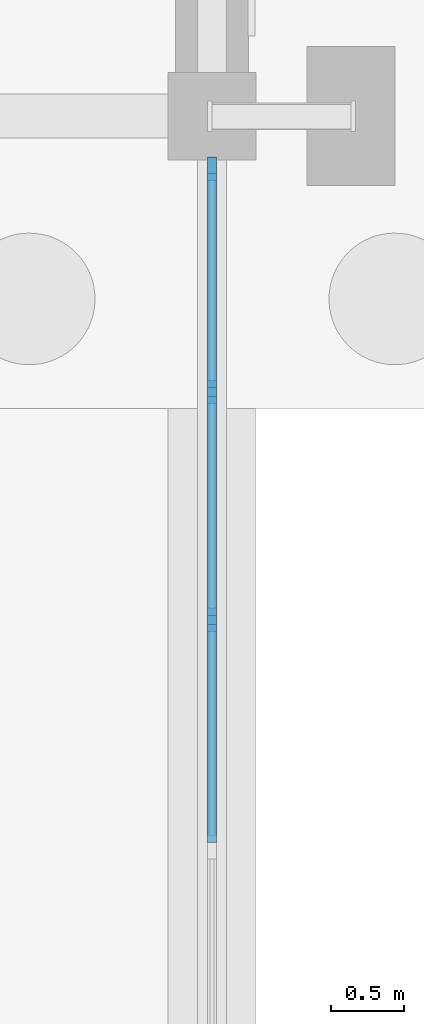
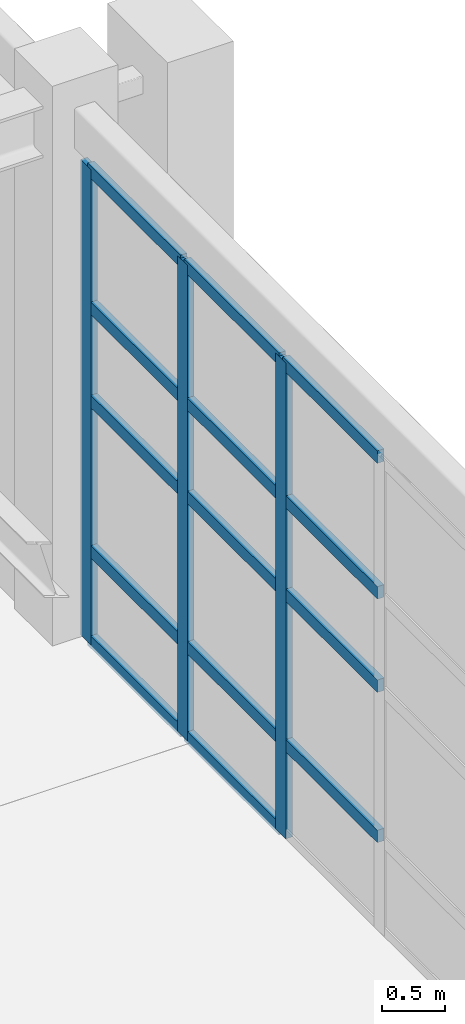
# One storey, part 71 of 145: 17 members, 1 element without a shape of its own.
"""IFC4 building model written with IfcOpenShell, lengths in metres."""

from ifc_helpers import new_model, si_unit, direction, frame, origin, origin_2d, place, context, subcontext, project, spatial, rectangle, extrude, material, layer, layer_set, material_profile, profile_set, type_object, element, aggregate, save


model = new_model("IFC4")

# Units and contexts
model_context = context("Model", 3, precision=1e-05, world=origin(), true_north=direction((0.0, 1.0)))
body_context = subcontext(model_context, "Body", "Model", "MODEL_VIEW")
ifc_project = project(units=[si_unit("LENGTHUNIT", "METRE"), si_unit("AREAUNIT", "SQUARE_METRE"), si_unit("VOLUMEUNIT", "CUBIC_METRE"), si_unit("PLANEANGLEUNIT", "RADIAN"), si_unit("MASSUNIT", "GRAM", prefix="KILO"), si_unit("THERMODYNAMICTEMPERATUREUNIT", "KELVIN"), si_unit("POWERUNIT", "WATT")], contexts=[model_context])

# Site, building, storey
site_placement = place(None, origin())
site = spatial("IfcSite", under=ifc_project, at=site_placement, CompositionType="ELEMENT")
building_placement = place(site_placement, origin())
building = spatial("IfcBuilding", under=site, at=building_placement, Name="Korenveer Ferry Terminal", CompositionType="ELEMENT")
storey_placement = place(building_placement, origin())
storey = spatial("IfcBuildingStorey", under=building, at=storey_placement, Name="L00", CompositionType="ELEMENT", Elevation=0.0)

# Curtain wall, members
ifc_material_1 = material(Name="Unitised bronze-and-glass curtain wall", Category="glass")
ifc_layer = layer(ifc_material_1, 0.159912109375)
ifc_layer_set = layer_set([ifc_layer], Name="Unitised bronze-and-glass curtain wall")
curtain_wall_type = type_object("IfcCurtainWallType", Name="ENV-CW-35", PredefinedType="USERDEFINED", material=ifc_layer_set)
curtain_wall_placement = place(storey_placement, frame((176.0, 59.669921875, 0.0)))
curtain_wall = element("IfcCurtainWall", 1, at=curtain_wall_placement, inside=storey, type_object=curtain_wall_type, Name="Lancet curtain wall CWX-L00-X176-176-Y50-60", ObjectType="UNITISED CURTAIN WALL", PredefinedType="USERDEFINED")
ifc_material_2 = material(Name="Anodised bronze aluminium", Category="aluminium")
ifc_material_profile_1 = material_profile(ifc_material_2, rectangle(XDim=0.06005859375, YDim=0.159912109375, at=origin_2d()), Name="ALU 60x160")
ifc_profile_set_1 = profile_set([ifc_material_profile_1], Name="Anodised bronze aluminium")
member_type_1 = type_object("IfcMemberType", Name="ENV-CWM-60X160", PredefinedType="MULLION", material=ifc_profile_set_1)
member_1_placement = place(storey_placement, frame((176.0, 59.639892578125, 0.0), z_axis=(0.0, 0.0, 1.0), x_axis=(1.0, 0.0, 0.0)))
member_1 = element("IfcMember", 2, at=member_1_placement, type_object=member_type_1, Name="CW-35 mullion 1", PredefinedType="MULLION", context=body_context, shape_type="SweptSolid", body=[
    extrude(rectangle(XDim=0.06005859375, YDim=0.159912109375, at=origin_2d()), origin(), (0.0, 0.0, 1.0), 4.590087890625),
])
member_2_placement = place(storey_placement, frame((176.0, 58.11328125, 0.0), z_axis=(0.0, 0.0, 1.0), x_axis=(1.0, 0.0, 0.0)))
member_2 = element("IfcMember", 3, at=member_2_placement, type_object=member_type_1, Name="CW-35 mullion 2", PredefinedType="MULLION", context=body_context, shape_type="SweptSolid", body=[
    extrude(rectangle(XDim=0.06005859375, YDim=0.159912109375, at=origin_2d()), origin(), (0.0, 0.0, 1.0), 4.590087890625),
])
member_3_placement = place(storey_placement, frame((176.0, 56.556640625, 0.0), z_axis=(0.0, 0.0, 1.0), x_axis=(1.0, 0.0, 0.0)))
member_3 = element("IfcMember", 4, at=member_3_placement, type_object=member_type_1, Name="CW-35 mullion 3", PredefinedType="MULLION", context=body_context, shape_type="SweptSolid", body=[
    extrude(rectangle(XDim=0.06005859375, YDim=0.159912109375, at=origin_2d()), origin(), (0.0, 0.0, 1.0), 4.590087890625),
])
ifc_material_profile_2 = material_profile(ifc_material_2, rectangle(XDim=0.06005859375, YDim=0.1201171875, at=origin_2d()), Name="ALU 60x120")
ifc_profile_set_2 = profile_set([ifc_material_profile_2], Name="Anodised bronze aluminium")
member_type_2 = type_object("IfcMemberType", Name="ENV-CWT-60X120", PredefinedType="USERDEFINED", material=ifc_profile_set_2)
member_4_placement = place(storey_placement, frame((176.0, 59.610107421875, 0.030029296875), z_axis=(0.0, -1.0, 0.0), x_axis=(1.0, 0.0, 0.0)))
member_4 = element("IfcMember", 5, at=member_4_placement, type_object=member_type_2, Name="CW-35 transom 1.1", ObjectType="TRANSOM", PredefinedType="USERDEFINED", context=body_context, shape_type="SweptSolid", body=[
    extrude(rectangle(XDim=0.06005859375, YDim=0.1201171875, at=origin_2d()), origin(), (0.0, 0.0, 1.0), 1.466796875),
])
member_5_placement = place(storey_placement, frame((176.0, 59.610107421875, 0.89990234375), z_axis=(0.0, -1.0, 0.0), x_axis=(1.0, 0.0, 0.0)))
member_5 = element("IfcMember", 6, at=member_5_placement, type_object=member_type_2, Name="CW-35 transom 1.2", ObjectType="TRANSOM", PredefinedType="USERDEFINED", context=body_context, shape_type="SweptSolid", body=[
    extrude(rectangle(XDim=0.06005859375, YDim=0.1201171875, at=origin_2d()), origin(), (0.0, 0.0, 1.0), 1.466796875),
])
member_6_placement = place(storey_placement, frame((176.0, 59.610107421875, 2.35009765625), z_axis=(0.0, -1.0, 0.0), x_axis=(1.0, 0.0, 0.0)))
member_6 = element("IfcMember", 7, at=member_6_placement, type_object=member_type_2, Name="CW-35 transom 1.3", ObjectType="TRANSOM", PredefinedType="USERDEFINED", context=body_context, shape_type="SweptSolid", body=[
    extrude(rectangle(XDim=0.06005859375, YDim=0.1201171875, at=origin_2d()), origin(), (0.0, 0.0, 1.0), 1.466796875),
])
member_7_placement = place(storey_placement, frame((176.0, 59.610107421875, 3.25), z_axis=(0.0, -1.0, 0.0), x_axis=(1.0, 0.0, 0.0)))
member_7 = element("IfcMember", 8, at=member_7_placement, type_object=member_type_2, Name="CW-35 transom 1.4", ObjectType="TRANSOM", PredefinedType="USERDEFINED", context=body_context, shape_type="SweptSolid", body=[
    extrude(rectangle(XDim=0.06005859375, YDim=0.1201171875, at=origin_2d()), origin(), (0.0, 0.0, 1.0), 1.466796875),
])
member_8_placement = place(storey_placement, frame((176.0, 59.610107421875, 4.56005859375), z_axis=(0.0, -1.0, 0.0), x_axis=(1.0, 0.0, 0.0)))
member_8 = element("IfcMember", 9, at=member_8_placement, type_object=member_type_2, Name="CW-35 transom 1.5", ObjectType="TRANSOM", PredefinedType="USERDEFINED", context=body_context, shape_type="SweptSolid", body=[
    extrude(rectangle(XDim=0.06005859375, YDim=0.1201171875, at=origin_2d()), origin(), (0.0, 0.0, 1.0), 1.466796875),
])
member_9_placement = place(storey_placement, frame((176.0, 58.083251953125, 0.030029296875), z_axis=(0.0, -1.0, 0.0), x_axis=(1.0, 0.0, 0.0)))
member_9 = element("IfcMember", 10, at=member_9_placement, type_object=member_type_2, Name="CW-35 transom 2.1", ObjectType="TRANSOM", PredefinedType="USERDEFINED", context=body_context, shape_type="SweptSolid", body=[
    extrude(rectangle(XDim=0.06005859375, YDim=0.1201171875, at=origin_2d()), origin(), (0.0, 0.0, 1.0), 1.49658203125),
])
member_10_placement = place(storey_placement, frame((176.0, 58.083251953125, 0.89990234375), z_axis=(0.0, -1.0, 0.0), x_axis=(1.0, 0.0, 0.0)))
member_10 = element("IfcMember", 11, at=member_10_placement, type_object=member_type_2, Name="CW-35 transom 2.2", ObjectType="TRANSOM", PredefinedType="USERDEFINED", context=body_context, shape_type="SweptSolid", body=[
    extrude(rectangle(XDim=0.06005859375, YDim=0.1201171875, at=origin_2d()), origin(), (0.0, 0.0, 1.0), 1.49658203125),
])
member_11_placement = place(storey_placement, frame((176.0, 58.083251953125, 2.35009765625), z_axis=(0.0, -1.0, 0.0), x_axis=(1.0, 0.0, 0.0)))
member_11 = element("IfcMember", 12, at=member_11_placement, type_object=member_type_2, Name="CW-35 transom 2.3", ObjectType="TRANSOM", PredefinedType="USERDEFINED", context=body_context, shape_type="SweptSolid", body=[
    extrude(rectangle(XDim=0.06005859375, YDim=0.1201171875, at=origin_2d()), origin(), (0.0, 0.0, 1.0), 1.49658203125),
])
member_12_placement = place(storey_placement, frame((176.0, 58.083251953125, 3.25), z_axis=(0.0, -1.0, 0.0), x_axis=(1.0, 0.0, 0.0)))
member_12 = element("IfcMember", 13, at=member_12_placement, type_object=member_type_2, Name="CW-35 transom 2.4", ObjectType="TRANSOM", PredefinedType="USERDEFINED", context=body_context, shape_type="SweptSolid", body=[
    extrude(rectangle(XDim=0.06005859375, YDim=0.1201171875, at=origin_2d()), origin(), (0.0, 0.0, 1.0), 1.49658203125),
])
member_13_placement = place(storey_placement, frame((176.0, 58.083251953125, 4.56005859375), z_axis=(0.0, -1.0, 0.0), x_axis=(1.0, 0.0, 0.0)))
member_13 = element("IfcMember", 14, at=member_13_placement, type_object=member_type_2, Name="CW-35 transom 2.5", ObjectType="TRANSOM", PredefinedType="USERDEFINED", context=body_context, shape_type="SweptSolid", body=[
    extrude(rectangle(XDim=0.06005859375, YDim=0.1201171875, at=origin_2d()), origin(), (0.0, 0.0, 1.0), 1.49658203125),
])
member_14_placement = place(storey_placement, frame((176.0, 56.526611328125, 0.89990234375), z_axis=(0.0, -1.0, 0.0), x_axis=(1.0, 0.0, 0.0)))
member_14 = element("IfcMember", 15, at=member_14_placement, type_object=member_type_2, Name="CW-35 transom 3.2", ObjectType="TRANSOM", PredefinedType="USERDEFINED", context=body_context, shape_type="SweptSolid", body=[
    extrude(rectangle(XDim=0.06005859375, YDim=0.1201171875, at=origin_2d()), origin(), (0.0, 0.0, 1.0), 1.49658203125),
])
member_15_placement = place(storey_placement, frame((176.0, 56.526611328125, 2.35009765625), z_axis=(0.0, -1.0, 0.0), x_axis=(1.0, 0.0, 0.0)))
member_15 = element("IfcMember", 16, at=member_15_placement, type_object=member_type_2, Name="CW-35 transom 3.3", ObjectType="TRANSOM", PredefinedType="USERDEFINED", context=body_context, shape_type="SweptSolid", body=[
    extrude(rectangle(XDim=0.06005859375, YDim=0.1201171875, at=origin_2d()), origin(), (0.0, 0.0, 1.0), 1.49658203125),
])
member_16_placement = place(storey_placement, frame((176.0, 56.526611328125, 3.25), z_axis=(0.0, -1.0, 0.0), x_axis=(1.0, 0.0, 0.0)))
member_16 = element("IfcMember", 17, at=member_16_placement, type_object=member_type_2, Name="CW-35 transom 3.4", ObjectType="TRANSOM", PredefinedType="USERDEFINED", context=body_context, shape_type="SweptSolid", body=[
    extrude(rectangle(XDim=0.06005859375, YDim=0.1201171875, at=origin_2d()), origin(), (0.0, 0.0, 1.0), 1.49658203125),
])
member_17_placement = place(storey_placement, frame((176.0, 56.526611328125, 4.56005859375), z_axis=(0.0, -1.0, 0.0), x_axis=(1.0, 0.0, 0.0)))
member_17 = element("IfcMember", 18, at=member_17_placement, type_object=member_type_2, Name="CW-35 transom 3.5", ObjectType="TRANSOM", PredefinedType="USERDEFINED", context=body_context, shape_type="SweptSolid", body=[
    extrude(rectangle(XDim=0.06005859375, YDim=0.1201171875, at=origin_2d()), origin(), (0.0, 0.0, 1.0), 1.49658203125),
])
aggregate(curtain_wall, [member_1, member_2, member_3, member_4, member_5, member_6, member_7, member_8, member_9, member_10, member_11, member_12, member_13, member_14, member_15, member_16, member_17])

save(model, "model.ifc")
